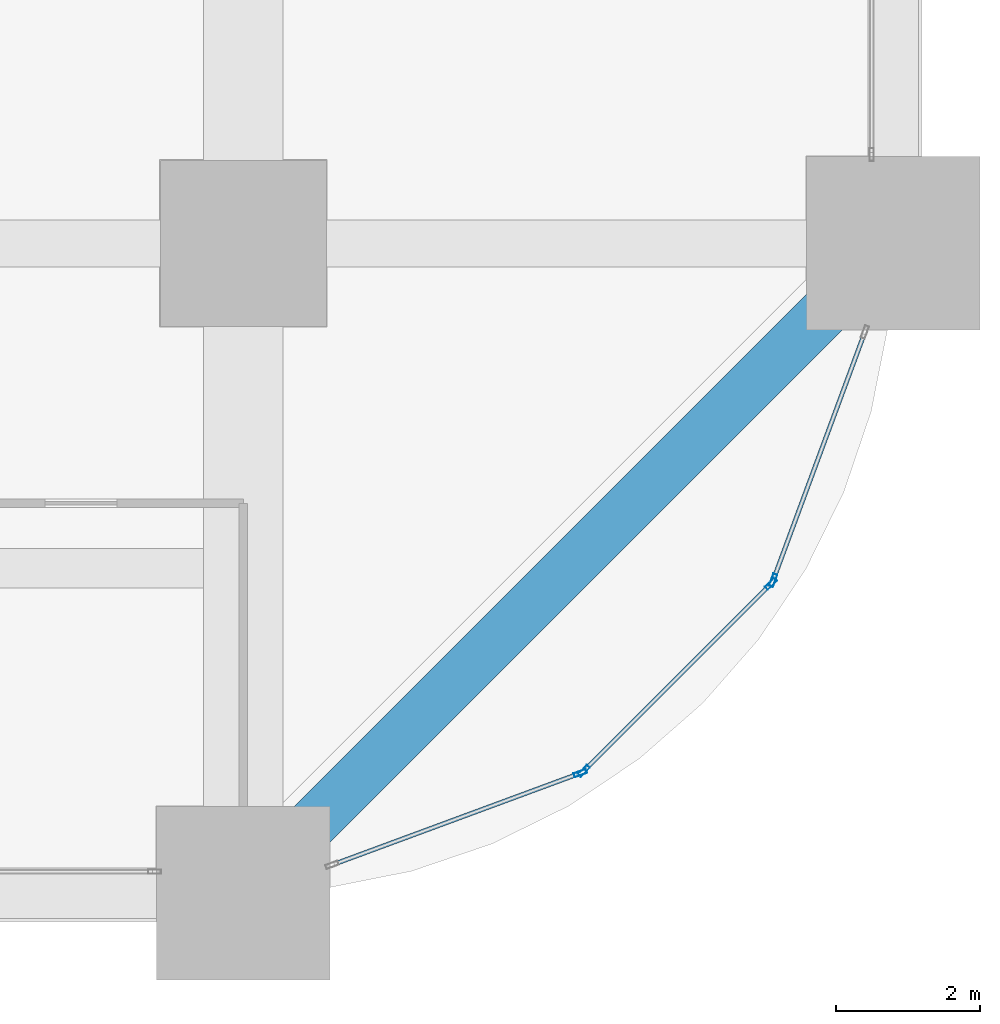
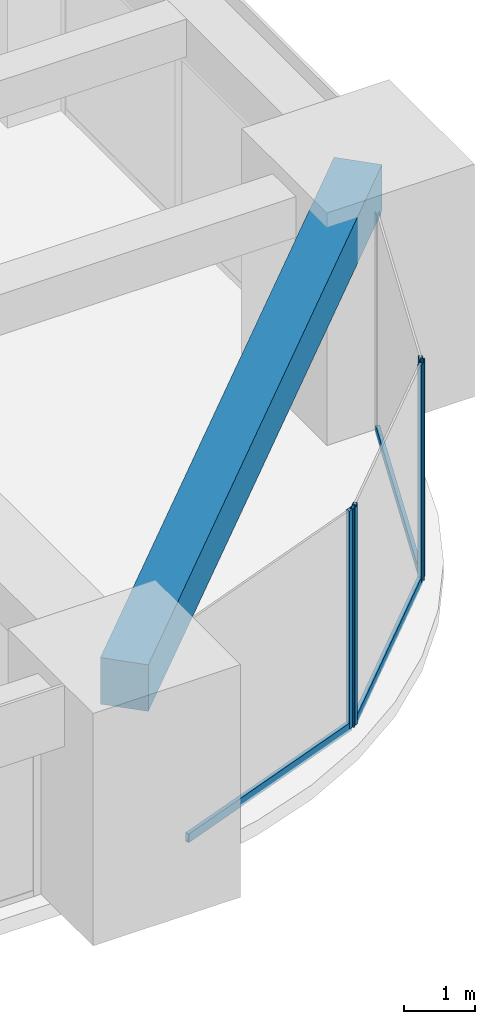
# One storey, part 16 of 45: 7 members, 1 beam, 3 elements without a shape of their own.
"""IFC4 building model written with IfcOpenShell, lengths in metres."""

from ifc_helpers import new_model, si_unit, direction, frame, origin, origin_2d, place, context, subcontext, project, spatial, rectangle, hollow_rectangle, extrude, material, material_profile, profile_set, type_object, element, aggregate, save


model = new_model("IFC4")

# Units and contexts
model_context = context("Model", 3, precision=1e-05, world=origin(), true_north=direction((0.0, 1.0)))
body_context = subcontext(model_context, "Body", "Model", "MODEL_VIEW")
ifc_project = project(units=[si_unit("LENGTHUNIT", "METRE"), si_unit("AREAUNIT", "SQUARE_METRE"), si_unit("VOLUMEUNIT", "CUBIC_METRE"), si_unit("PLANEANGLEUNIT", "RADIAN"), si_unit("MASSUNIT", "GRAM", prefix="KILO")], contexts=[model_context])

# Site, building, storey
site_placement = place(None, origin())
site = spatial("IfcSite", under=ifc_project, at=site_placement, CompositionType="ELEMENT")
building_placement = place(site_placement, origin())
building = spatial("IfcBuilding", under=site, at=building_placement, Name="Zorevar Civic Tower", CompositionType="ELEMENT")
storey_placement = place(building_placement, frame((0.0, 0.0, 47.800048828125)))
storey = spatial("IfcBuildingStorey", under=building, at=storey_placement, Name="L11", CompositionType="ELEMENT", Elevation=47.800048828125)

# Curtain wall, member
ifc_material_1 = material(Name="Dark grey solar-control glass in black aluminium frame", Category="aluminium")
curtain_wall_type = type_object("IfcCurtainWallType", Name="Curtain wall CW2 low zone", PredefinedType="NOTDEFINED", material=ifc_material_1)
curtain_wall_1_placement = place(storey_placement, origin())
curtain_wall_1 = element("IfcCurtainWall", 1, at=curtain_wall_1_placement, inside=storey, type_object=curtain_wall_type, Name="CW2 L11", PredefinedType="NOTDEFINED")
ifc_material_2 = material(Name="Aluminium, black anodised", Category="aluminium")
ifc_material_profile_1 = material_profile(ifc_material_2, hollow_rectangle(XDim=0.06005859375, YDim=0.179931640625, WallThickness=0.00390625, at=origin_2d()), Name="AL 180x60x4")
ifc_profile_set_1 = profile_set([ifc_material_profile_1], Name="Aluminium, black anodised")
member_type_1 = type_object("IfcMemberType", Name="CW2 mullion AL 180x60x4", PredefinedType="MULLION", material=ifc_profile_set_1)
member_1_placement = place(storey_placement, frame((58.66455078125, 1.663818359375, 0.0), z_axis=(0.0, 0.0, 1.0), x_axis=(-0.346704012033, 0.937974588163, 0.0)))
member_1 = element("IfcMember", 2, at=member_1_placement, type_object=member_type_1, Name="CW2 mullion 2", PredefinedType="MULLION", context=body_context, shape_type="SweptSolid", body=[
    extrude(hollow_rectangle(XDim=0.06005859375, YDim=0.179931640625, WallThickness=0.00390625, at=origin_2d()), origin(), (0.0, 0.0, 1.0), 3.75),
])

# Curtain wall, members
curtain_wall_2_placement = place(storey_placement, origin())
curtain_wall_2 = element("IfcCurtainWall", 3, at=curtain_wall_2_placement, inside=storey, type_object=curtain_wall_type, Name="CW2 L11", PredefinedType="NOTDEFINED")
member_2_placement = place(storey_placement, frame((58.7138671875, 1.6953125, 0.0), z_axis=(0.0, 0.0, 1.0), x_axis=(-0.707106781187, 0.707106781187, 0.0)))
member_2 = element("IfcMember", 4, at=member_2_placement, type_object=member_type_1, Name="CW2 mullion 1", PredefinedType="MULLION", context=body_context, shape_type="SweptSolid", body=[
    extrude(hollow_rectangle(XDim=0.06005859375, YDim=0.179931640625, WallThickness=0.00390625, at=origin_2d()), origin(), (0.0, 0.0, 1.0), 3.75),
])
member_3_placement = place(storey_placement, frame((61.3046875, 4.2861328125, 0.0), z_axis=(0.0, 0.0, 1.0), x_axis=(-0.707106781187, 0.707106781187, 0.0)))
member_3 = element("IfcMember", 5, at=member_3_placement, type_object=member_type_1, Name="CW2 mullion 2", PredefinedType="MULLION", context=body_context, shape_type="SweptSolid", body=[
    extrude(hollow_rectangle(XDim=0.06005859375, YDim=0.179931640625, WallThickness=0.00390625, at=origin_2d()), origin(), (0.0, 0.0, 1.0), 3.75),
])

# Curtain wall, member
curtain_wall_3_placement = place(storey_placement, origin())
curtain_wall_3 = element("IfcCurtainWall", 6, at=curtain_wall_3_placement, inside=storey, type_object=curtain_wall_type, Name="CW2 L11", PredefinedType="NOTDEFINED")
member_4_placement = place(storey_placement, frame((61.336181640625, 4.33544921875, 0.0), z_axis=(0.0, 0.0, 1.0), x_axis=(-0.937974588163, 0.346704012033, 0.0)))
member_4 = element("IfcMember", 7, at=member_4_placement, type_object=member_type_1, Name="CW2 mullion 1", PredefinedType="MULLION", context=body_context, shape_type="SweptSolid", body=[
    extrude(hollow_rectangle(XDim=0.06005859375, YDim=0.179931640625, WallThickness=0.00390625, at=origin_2d()), origin(), (0.0, 0.0, 1.0), 3.75),
])

# Member
ifc_material_3 = material(Name="Aluminium, black anodised", Category="aluminium")
ifc_material_profile_2 = material_profile(ifc_material_3, hollow_rectangle(XDim=0.06005859375, YDim=0.14990234375, WallThickness=0.00390625, at=origin_2d()), Name="AL 150x60x4")
ifc_profile_set_2 = profile_set([ifc_material_profile_2], Name="Aluminium, black anodised")
member_type_2 = type_object("IfcMemberType", Name="CW2 transom AL 150x60x4", PredefinedType="USERDEFINED", material=ifc_profile_set_2)
member_5_placement = place(storey_placement, frame((55.25634765625, 0.404052734375, 0.030029296875), z_axis=(0.93798635741, 0.346672169799, 0.0), x_axis=(-0.346672169799, 0.93798635741, 0.0)))
member_5 = element("IfcMember", 8, at=member_5_placement, type_object=member_type_2, Name="CW2 sill transom", ObjectType="TRANSOM", PredefinedType="USERDEFINED", context=body_context, shape_type="SweptSolid", body=[
    extrude(hollow_rectangle(XDim=0.06005859375, YDim=0.14990234375, WallThickness=0.00390625, at=origin_2d()), origin(), (0.0, 0.0, 1.0), 3.603515625),
])

aggregate(curtain_wall_1, [member_1, member_5])

member_6_placement = place(storey_placement, frame((58.735107421875, 1.716552734375, 0.030029296875), z_axis=(0.707106781187, 0.707106781187, 0.0), x_axis=(-0.707106781187, 0.707106781187, 0.0)))
member_6 = element("IfcMember", 9, at=member_6_placement, type_object=member_type_2, Name="CW2 sill transom", ObjectType="TRANSOM", PredefinedType="USERDEFINED", context=body_context, shape_type="SweptSolid", body=[
    extrude(hollow_rectangle(XDim=0.06005859375, YDim=0.14990234375, WallThickness=0.00390625, at=origin_2d()), origin(), (0.0, 0.0, 1.0), 3.60400390625),
])

aggregate(curtain_wall_2, [member_2, member_3, member_6])

member_7_placement = place(storey_placement, frame((61.3466796875, 4.363525390625, 0.030029296875), z_axis=(0.346672169799, 0.93798635741, 0.0), x_axis=(-0.93798635741, 0.346672169799, 0.0)))
member_7 = element("IfcMember", 10, at=member_7_placement, type_object=member_type_2, Name="CW2 sill transom", ObjectType="TRANSOM", PredefinedType="USERDEFINED", context=body_context, shape_type="SweptSolid", body=[
    extrude(hollow_rectangle(XDim=0.06005859375, YDim=0.14990234375, WallThickness=0.00390625, at=origin_2d()), origin(), (0.0, 0.0, 1.0), 3.603515625),
])

aggregate(curtain_wall_3, [member_4, member_7])

# Beam
ifc_material_4 = material(Name="Concrete C50/60", Category="concrete")
ifc_material_profile_3 = material_profile(ifc_material_4, rectangle(XDim=0.699951171875, YDim=0.800048828125, at=origin_2d()), Name="RC 700x800")
ifc_profile_set_3 = profile_set([ifc_material_profile_3], Name="Concrete C50/60")
beam_type = type_object("IfcBeamType", Name="Edge beam RC 700x800", PredefinedType="SPANDREL", material=ifc_profile_set_3)
beam_placement = place(storey_placement, frame((54.0, 0.0, 3.349853515625), z_axis=(0.707106781187, 0.707106781187, 0.0), x_axis=(-0.707106781187, 0.707106781187, 0.0)))
element("IfcBeam", 11, at=beam_placement, inside=storey, type_object=beam_type, Name="Corner edge beam L12", PredefinedType="SPANDREL", context=body_context, shape_type="SweptSolid", body=[
    extrude(rectangle(XDim=0.699951171875, YDim=0.800048828125, at=origin_2d()), origin(), (0.0, 0.0, 1.0), 12.72802734375),
])

save(model, "model.ifc")
